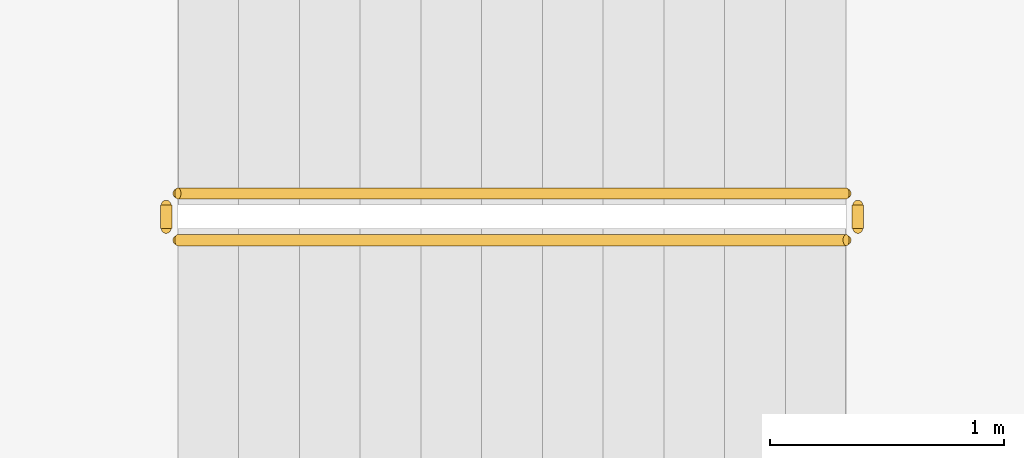
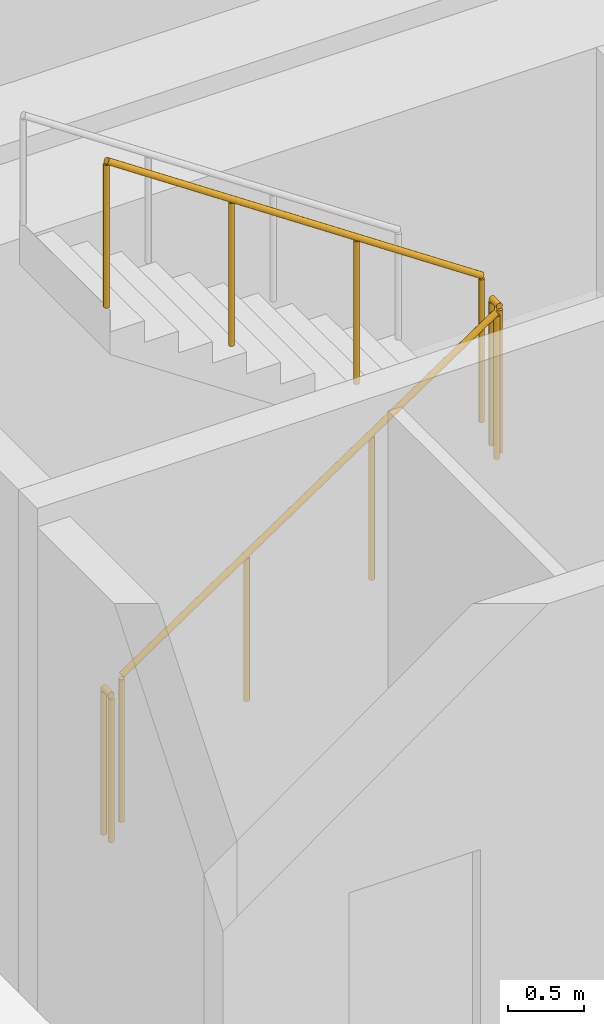
# One storey, part 21 of 25: 4 railings.
"""IFC4 building model written with IfcOpenShell, lengths in metres."""

from ifc_helpers import new_model, si_unit, direction, frame, origin, origin_2d, place, context, subcontext, project, spatial, circle, extrude, material, type_object, element, save


model = new_model("IFC4")

# Units and contexts
model_context = context("Model", 3, precision=1e-05, world=origin(), true_north=direction((0.0, 1.0)))
body_context = subcontext(model_context, "Body", "Model", "MODEL_VIEW")
ifc_project = project(units=[si_unit("LENGTHUNIT", "METRE"), si_unit("AREAUNIT", "SQUARE_METRE"), si_unit("VOLUMEUNIT", "CUBIC_METRE"), si_unit("PLANEANGLEUNIT", "RADIAN"), si_unit("MASSUNIT", "GRAM", prefix="KILO")], contexts=[model_context])

# Site, building, storey
site_placement = place(None, origin())
site = spatial("IfcSite", under=ifc_project, at=site_placement, CompositionType="ELEMENT")
building_placement = place(site_placement, origin())
building = spatial("IfcBuilding", under=site, at=building_placement, Name="Sahrelin Media Tower", CompositionType="ELEMENT")
storey_placement = place(building_placement, frame((0.0, 0.0, 139.800048828125)))
storey = spatial("IfcBuildingStorey", under=building, at=storey_placement, Name="L28", CompositionType="ELEMENT", Elevation=139.800048828125)

# Railings
ifc_material = material(Name="Steel S355", Category="steel")
railing_type = type_object("IfcRailingType", Name="Stair guard 1200", PredefinedType="GUARDRAIL", material=ifc_material)
railing_1_placement = place(storey_placement, frame((-7.675048828125, 5.25, 0.175048828125)))
element("IfcRailing", 1, at=railing_1_placement, inside=storey, type_object=railing_type, Name="L28 ST1 stair guard 1", PredefinedType="GUARDRAIL", context=body_context, shape_type="SweptSolid", body=[
    extrude(circle(Radius=0.02392578125, at=origin_2d()), frame((0.0, 0.0, 1.17578125), z_axis=(0.829623704247, 0.0, 0.558322943601), x_axis=(0.0, 1.0, 0.0)), (0.0, 0.0, 1.0), 3.447509765625),
    extrude(circle(Radius=0.02099609375, at=origin_2d()), origin(), (0.0, 0.0, 1.0), 1.15185546875),
    extrude(circle(Radius=0.02099609375, at=origin_2d()), frame((0.953369140625, 0.0, 0.6416015625)), (0.0, 0.0, 1.0), 1.15185546875),
    extrude(circle(Radius=0.02099609375, at=origin_2d()), frame((1.90673828125, 0.0, 1.283203125)), (0.0, 0.0, 1.0), 1.15185546875),
    extrude(circle(Radius=0.02099609375, at=origin_2d()), frame((2.860107421875, 0.0, 1.9248046875)), (0.0, 0.0, 1.0), 1.15185546875),
])
railing_2_placement = place(storey_placement, frame((-4.764892578125, 5.300048828125, 2.099853515625)))
element("IfcRailing", 2, at=railing_2_placement, inside=storey, type_object=railing_type, Name="L28 ST1 stair guard 2", PredefinedType="GUARDRAIL", context=body_context, shape_type="SweptSolid", body=[
    extrude(circle(Radius=0.02392578125, at=origin_2d()), frame((0.0, 0.0, 1.17578125), z_axis=(0.0, 1.0, 0.0), x_axis=(-1.0, 0.0, 0.0)), (0.0, 0.0, 1.0), 0.099853515625),
    extrude(circle(Radius=0.02099609375, at=origin_2d()), origin(), (0.0, 0.0, 1.0), 1.15185546875),
    extrude(circle(Radius=0.02099609375, at=origin_2d()), frame((0.0, 0.099853515625, 0.0)), (0.0, 0.0, 1.0), 1.15185546875),
])
railing_3_placement = place(storey_placement, frame((-4.81494140625, 5.449951171875, 2.27490234375)))
element("IfcRailing", 3, at=railing_3_placement, inside=storey, type_object=railing_type, Name="L28 ST1 stair guard 3", PredefinedType="GUARDRAIL", context=body_context, shape_type="SweptSolid", body=[
    extrude(circle(Radius=0.02392578125, at=origin_2d()), frame((0.0, 0.0, 1.17578125), z_axis=(-0.829590901723, 0.0, 0.558371682465), x_axis=(0.0, -1.0, 0.0)), (0.0, 0.0, 1.0), 3.447509765625),
    extrude(circle(Radius=0.02099609375, at=origin_2d()), origin(), (0.0, 0.0, 1.0), 1.15185546875),
    extrude(circle(Radius=0.02099609375, at=origin_2d()), frame((-0.953369140625, 0.0, 0.6416015625)), (0.0, 0.0, 1.0), 1.15185546875),
    extrude(circle(Radius=0.02099609375, at=origin_2d()), frame((-1.90673828125, 0.0, 1.283447265625)), (0.0, 0.0, 1.0), 1.15185546875),
    extrude(circle(Radius=0.02099609375, at=origin_2d()), frame((-2.860107421875, 0.0, 1.925048828125)), (0.0, 0.0, 1.0), 1.15185546875),
])
railing_4_placement = place(storey_placement, frame((-7.72509765625, 5.300048828125, 0.0)))
element("IfcRailing", 4, at=railing_4_placement, inside=storey, type_object=railing_type, Name="L28 ST1 stair guard 4", PredefinedType="GUARDRAIL", context=body_context, shape_type="SweptSolid", body=[
    extrude(circle(Radius=0.02392578125, at=origin_2d()), frame((0.0, 0.0, 1.17578125), z_axis=(0.0, 1.0, 0.0), x_axis=(-1.0, 0.0, 0.0)), (0.0, 0.0, 1.0), 0.099853515625),
    extrude(circle(Radius=0.02099609375, at=origin_2d()), origin(), (0.0, 0.0, 1.0), 1.15185546875),
    extrude(circle(Radius=0.02099609375, at=origin_2d()), frame((0.0, 0.099853515625, 0.0)), (0.0, 0.0, 1.0), 1.15185546875),
])

save(model, "model.ifc")
